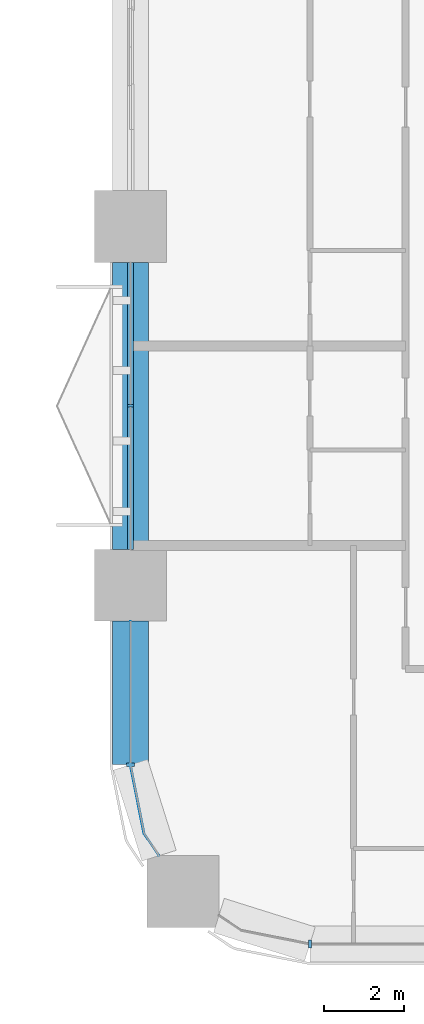
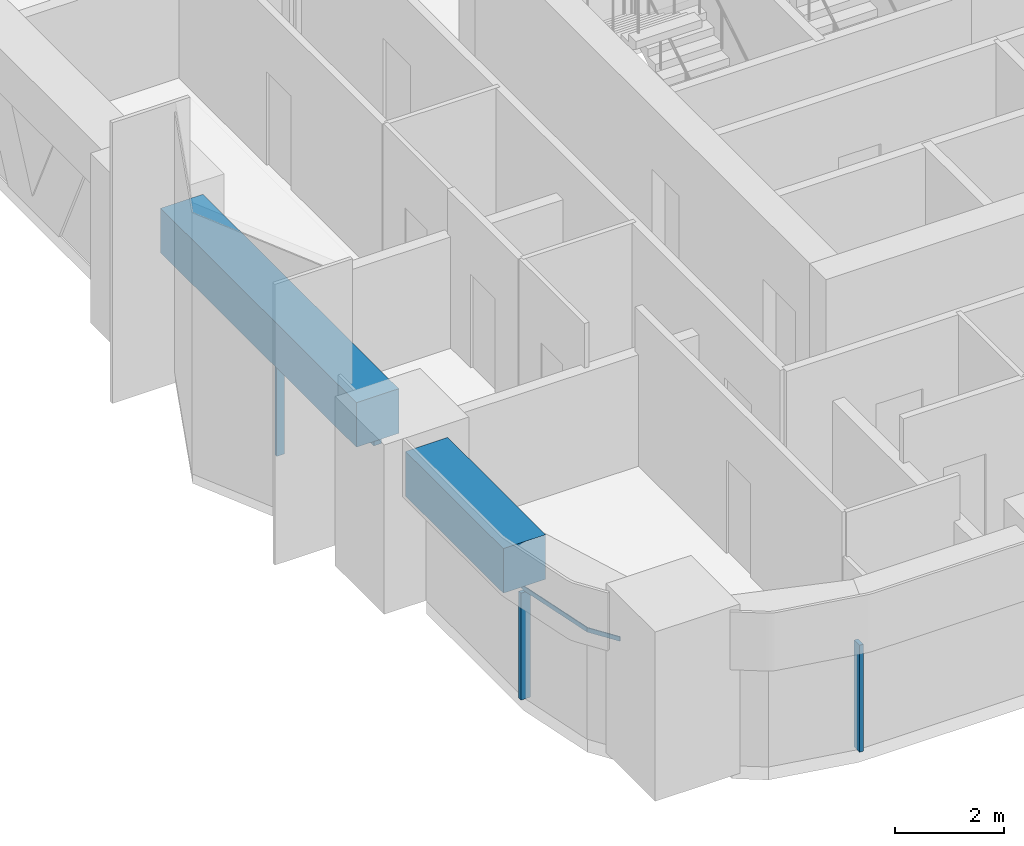
# One storey, part 2 of 19: 5 members, 2 beams, 3 elements without a shape of their own.
"""IFC4 building model written with IfcOpenShell, lengths in metres."""

import ifcopenshell
import ifcopenshell.guid

model = None  # the IFC model being written
_history = None  # IfcOwnerHistory: only IFC2X3 demands one
_inside = {}  # id of a spatial element -> (the spatial element, [elements in it])
_under = {}  # id of a project, library or spatial element -> (it, [spatial elements below it])
_declared = {}  # id of a project -> (the project, [libraries it declares])
_typed = {}  # id of a type object -> (the type object, [elements of that type])
_made_of = {}  # id of a material, layer set ... -> (it, [elements and type objects made of it])


def new_model(schema):
    """Start an empty IFC model of exactly this schema.

    Asked for "IFC4X3", IfcOpenShell would pick the latest addendum, in which some entities
    have other attributes; the version numbers below select the first issue.
    IFC2X3 requires an IfcOwnerHistory on every rooted entity: one is made here for all.
    """
    global model, _history
    if schema == "IFC4X3":
        model = ifcopenshell.file(schema_version=(4, 3, 0, 0))
    else:
        model = ifcopenshell.file(schema=schema)
    _inside.clear()
    _under.clear()
    _declared.clear()
    _typed.clear()
    _made_of.clear()
    _history = None
    if model.schema == "IFC2X3":
        org = make("IfcOrganization", Name="unknown")
        user = make(
            "IfcPersonAndOrganization",
            ThePerson=make("IfcPerson", FamilyName="unknown"),
            TheOrganization=org,
        )
        app = make(
            "IfcApplication",
            ApplicationDeveloper=org,
            Version="unknown",
            ApplicationFullName="unknown",
            ApplicationIdentifier="unknown",
        )
        _history = make(
            "IfcOwnerHistory",
            OwningUser=user,
            OwningApplication=app,
            ChangeAction="ADDED",
            CreationDate=0,
        )
    return model


def make(cls, **values):
    """One entity of the class cls with the attributes given. An attribute that is None is left unset."""
    return model.create_entity(
        cls, **{name: value for name, value in values.items() if value is not None}
    )


def rooted(cls, **values):
    """An entity with a GlobalId (a new one), such as an element, a storey or a relation."""
    return make(cls, GlobalId=ifcopenshell.guid.new(), OwnerHistory=_history, **values)


def si_unit(unit_type, name, prefix=None):
    """IfcSIUnit, for example si_unit("LENGTHUNIT", "METRE", prefix="MILLI")."""
    return make("IfcSIUnit", UnitType=unit_type, Prefix=prefix, Name=name)


def assignment(units):
    """IfcUnitAssignment: the units of a project."""
    return None if units is None else make("IfcUnitAssignment", Units=units)


def point(xyz):
    """IfcCartesianPoint."""
    return None if xyz is None else make("IfcCartesianPoint", Coordinates=xyz)


def direction(xyz):
    """IfcDirection."""
    return None if xyz is None else make("IfcDirection", DirectionRatios=xyz)


def frame(location, z_axis=None, x_axis=None):
    """IfcAxis2Placement3D, a coordinate frame: its origin and axes. An axis left out is left unset."""
    return make(
        "IfcAxis2Placement3D",
        Location=point(location),
        Axis=direction(z_axis),
        RefDirection=direction(x_axis),
    )


def frame_2d(location, x_axis=None):
    """IfcAxis2Placement2D, a coordinate frame in the plane: its origin and x axis."""
    return make(
        "IfcAxis2Placement2D", Location=point(location), RefDirection=direction(x_axis)
    )


def origin():
    """The frame at (0, 0, 0) with its axes left unset."""
    return frame((0.0, 0.0, 0.0))


def origin_2d():
    """The frame at (0, 0) in the plane with its x axis left unset."""
    return frame_2d((0.0, 0.0))


def place(relative_to, where):
    """IfcLocalPlacement: puts the frame where relative to a parent placement (None: the world)."""
    return make(
        "IfcLocalPlacement", PlacementRelTo=relative_to, RelativePlacement=where
    )


def context(
    kind, dimensions, precision=None, world=None, true_north=None, identifier=None
):
    """IfcGeometricRepresentationContext, for example the 3D "Model" context."""
    return make(
        "IfcGeometricRepresentationContext",
        ContextIdentifier=identifier,
        ContextType=kind,
        CoordinateSpaceDimension=dimensions,
        Precision=precision,
        WorldCoordinateSystem=world,
        TrueNorth=true_north,
    )


def subcontext(parent, identifier, kind, view, scale=None):
    """IfcGeometricRepresentationSubContext, for example "Body" below "Model"."""
    return make(
        "IfcGeometricRepresentationSubContext",
        ContextIdentifier=identifier,
        ContextType=kind,
        ParentContext=parent,
        TargetScale=scale,
        TargetView=view,
    )


def project(units=None, contexts=None):
    """IfcProject with its units and contexts."""
    return rooted(
        "IfcProject",
        Name="project",
        RepresentationContexts=contexts,
        UnitsInContext=assignment(units),
    )


def spatial(cls, under=None, at=None, **own):
    """A site, building, storey or space (cls), placed at a placement, below another one or the project."""
    s = rooted(cls, ObjectPlacement=at, **own)
    if under is not None:
        _under.setdefault(under.id(), (under, []))[1].append(s)
    return s


def polyline(points):
    """IfcPolyline through the points."""
    return make("IfcPolyline", Points=[point(p) for p in points])


def profile(cls, at=None, kind="AREA", **sizes):
    """A parametric profile (cls). Its sizes go by their IFC names, for example OverallWidth=200.0."""
    return make(cls, ProfileType=kind, Position=at, **sizes)


def rectangle(**sizes):
    """IfcRectangleProfileDef."""
    return profile("IfcRectangleProfileDef", **sizes)


def outline(outer, holes=None, kind="AREA"):
    """IfcArbitraryClosedProfileDef: a profile drawn as a closed curve; with holes, ...WithVoids."""
    if holes is None:
        return make("IfcArbitraryClosedProfileDef", ProfileType=kind, OuterCurve=outer)
    return make(
        "IfcArbitraryProfileDefWithVoids",
        ProfileType=kind,
        OuterCurve=outer,
        InnerCurves=holes,
    )


def extrude(swept, where, along, depth):
    """IfcExtrudedAreaSolid: the profile swept, set in the frame where, extruded along a direction by depth."""
    return make(
        "IfcExtrudedAreaSolid",
        SweptArea=swept,
        Position=where,
        ExtrudedDirection=direction(along),
        Depth=depth,
    )


def shape(context_of_items, identifier, shape_type, items):
    """IfcShapeRepresentation: the items that make up one representation, for example the "Body"."""
    return make(
        "IfcShapeRepresentation",
        ContextOfItems=context_of_items,
        RepresentationIdentifier=identifier,
        RepresentationType=shape_type,
        Items=items,
    )


def material(Name=None, Category=None):
    """IfcMaterial."""
    return make("IfcMaterial", Name=Name, Category=Category)


def material_profile(
    of_material, cross_section, Name=None, Category=None, Priority=None
):
    """IfcMaterialProfile: a cross section and its material."""
    return make(
        "IfcMaterialProfile",
        Name=Name,
        Material=of_material,
        Profile=cross_section,
        Priority=Priority,
        Category=Category,
    )


def profile_set(profiles, Name=None, composite=None):
    """IfcMaterialProfileSet."""
    return make(
        "IfcMaterialProfileSet",
        Name=Name,
        MaterialProfiles=profiles,
        CompositeProfile=composite,
    )


def made_of(thing, what):
    """Note that an element or type object is made of a material, layer set ...; save() writes the relation."""
    if what is not None:
        _made_of.setdefault(what.id(), (what, []))[1].append(thing)
    return thing


def type_object(cls, material=None, **own):
    """A type object (cls), such as IfcWallType, which elements share."""
    return made_of(rooted(cls, **own), material)


def element(
    cls,
    number,
    at=None,
    inside=None,
    cuts=None,
    type_object=None,
    material=None,
    context=None,
    identifier="Body",
    shape_type=None,
    held_by="IfcProductDefinitionShape",
    body=None,
    shapes=None,
    **own,
):
    """One element of the class cls, such as IfcWall. Its Tag is "e" and its number.

    at: its placement. inside: the storey or other place that contains it. cuts: it is an
    opening in that element (IfcRelVoidsElement). A single representation is given by context,
    identifier, shape_type and body (its items); several are given by shapes. held_by: the class
    of the entity that holds the representations. save() writes the other relations.
    """
    e = rooted(cls, Tag="e%d" % number, ObjectPlacement=at, **own)
    if body is not None:
        shapes = [shape(context, identifier, shape_type, body)]
    if shapes is not None:
        e.Representation = make(held_by, Representations=shapes)
    if inside is not None:
        _inside.setdefault(inside.id(), (inside, []))[1].append(e)
    if cuts is not None:
        rooted(
            "IfcRelVoidsElement", RelatingBuildingElement=cuts, RelatedOpeningElement=e
        )
    if type_object is not None:
        _typed.setdefault(type_object.id(), (type_object, []))[1].append(e)
    return made_of(e, material)


def aggregate(whole, parts):
    """IfcRelAggregates: a whole, such as a stair, and the parts it consists of."""
    return rooted("IfcRelAggregates", RelatingObject=whole, RelatedObjects=parts)


def save(model, path):
    """Write the relations noted so far, then the file.

    IfcRelAggregates (storeys below a building ...), IfcRelContainedInSpatialStructure (elements
    in a storey), IfcRelDefinesByType, IfcRelAssociatesMaterial and IfcRelDeclares: one each for
    every whole, place, type object, material and project.
    """
    for whole, parts in _under.values():
        aggregate(whole, parts)
    for where, things in _inside.values():
        rooted(
            "IfcRelContainedInSpatialStructure",
            RelatedElements=things,
            RelatingStructure=where,
        )
    for kind, things in _typed.values():
        rooted("IfcRelDefinesByType", RelatedObjects=things, RelatingType=kind)
    for what, things in _made_of.values():
        rooted("IfcRelAssociatesMaterial", RelatedObjects=things, RelatingMaterial=what)
    for by, libraries in _declared.values():
        rooted("IfcRelDeclares", RelatingContext=by, RelatedDefinitions=libraries)
    model.write(path)


model = new_model("IFC4")

# Units and contexts
model_context = context("Model", 3, precision=1e-05, world=origin(), true_north=direction((0.0, 1.0)))
body_context = subcontext(model_context, "Body", "Model", "MODEL_VIEW")
ifc_project = project(units=[si_unit("LENGTHUNIT", "METRE"), si_unit("AREAUNIT", "SQUARE_METRE"), si_unit("VOLUMEUNIT", "CUBIC_METRE"), si_unit("PLANEANGLEUNIT", "RADIAN"), si_unit("MASSUNIT", "GRAM", prefix="KILO")], contexts=[model_context])

# Site, building, storey
site_placement = place(None, origin())
site = spatial("IfcSite", under=ifc_project, at=site_placement, CompositionType="ELEMENT")
building_placement = place(site_placement, origin())
building = spatial("IfcBuilding", under=site, at=building_placement, Name="Tessera Arch", CompositionType="ELEMENT")
storey_placement = place(building_placement, frame((0.0, 0.0, 85.39990234375)))
storey = spatial("IfcBuildingStorey", under=building, at=storey_placement, Name="L19", CompositionType="ELEMENT", Elevation=85.39990234375)

# Curtain wall, members
ifc_material_1 = material(Name="CW1 curtain wall")
curtain_wall_type_1 = type_object("IfcCurtainWallType", Name="CW1 curtain wall", PredefinedType="NOTDEFINED", material=ifc_material_1)
curtain_wall_1_placement = place(storey_placement, origin())
curtain_wall_1 = element("IfcCurtainWall", 1, at=curtain_wall_1_placement, inside=storey, type_object=curtain_wall_type_1, Name="CW1 curtain wall W27.0/1 L19", PredefinedType="NOTDEFINED")
ifc_material_2 = material(Name="Anodised aluminium pale metal", Category="aluminium")
ifc_material_profile_1 = material_profile(ifc_material_2, rectangle(XDim=0.159912109375, YDim=0.06005859375, at=origin_2d()), Name="AL 60x160")
ifc_profile_set_1 = profile_set([ifc_material_profile_1], Name="Anodised aluminium pale metal")
member_type_1 = type_object("IfcMemberType", Name="CW1 mullion", PredefinedType="MULLION", material=ifc_profile_set_1)
member_1_placement = place(storey_placement, frame((27.0, 13.5, 0.0), z_axis=(0.0, 0.0, 1.0), x_axis=(1.0, 0.0, 0.0)))
member_1 = element("IfcMember", 2, at=member_1_placement, type_object=member_type_1, Name="CW1 mullion W27.0/1 1", PredefinedType="MULLION", context=body_context, shape_type="SweptSolid", body=[
    extrude(rectangle(XDim=0.159912109375, YDim=0.06005859375, at=origin_2d()), origin(), (0.0, 0.0, 1.0), 2.400146484375),
])
ifc_material_3 = material(Name="Anodised aluminium pale metal", Category="aluminium")
ifc_material_profile_2 = material_profile(ifc_material_3, rectangle(XDim=0.159912109375, YDim=0.10009765625, at=origin_2d()), Name="AL 160x100")
ifc_profile_set_2 = profile_set([ifc_material_profile_2], Name="Anodised aluminium pale metal")
member_type_2 = type_object("IfcMemberType", Name="CW1 transom", PredefinedType="USERDEFINED", material=ifc_profile_set_2)
member_2_placement = place(storey_placement, frame((27.0, 17.10009765625, 2.4501953125), z_axis=(0.0, -1.0, 0.0), x_axis=(1.0, 0.0, 0.0)))
member_2 = element("IfcMember", 3, at=member_2_placement, type_object=member_type_2, Name="CW1 transom W27.0/1 1.1", ObjectType="TRANSOM", PredefinedType="USERDEFINED", context=body_context, shape_type="SweptSolid", body=[
    extrude(rectangle(XDim=0.159912109375, YDim=0.10009765625, at=origin_2d()), origin(), (0.0, 0.0, 1.0), 7.2001953125),
])
aggregate(curtain_wall_1, [member_1, member_2])

# Curtain wall, member
ifc_material_4 = material(Name="CW2 curtain wall")
curtain_wall_type_2 = type_object("IfcCurtainWallType", Name="CW2 curtain wall", PredefinedType="NOTDEFINED", material=ifc_material_4)
curtain_wall_2_placement = place(storey_placement, origin())
curtain_wall_2 = element("IfcCurtainWall", 4, at=curtain_wall_2_placement, inside=storey, type_object=curtain_wall_type_2, Name="CW2 curtain wall W27.0/2 L19", PredefinedType="NOTDEFINED")
ifc_material_5 = material(Name="Anodised aluminium pale metal", Category="aluminium")
ifc_material_profile_3 = material_profile(ifc_material_5, rectangle(XDim=0.199951171875, YDim=0.080078125, at=origin_2d()), Name="AL 80x200")
ifc_profile_set_3 = profile_set([ifc_material_profile_3], Name="Anodised aluminium pale metal")
member_type_3 = type_object("IfcMemberType", Name="CW2 mullion", PredefinedType="MULLION", material=ifc_profile_set_3)
member_3_placement = place(storey_placement, frame((27.0, 4.5, 0.0), z_axis=(0.0, 0.0, 1.0), x_axis=(1.0, 0.0, 0.0)))
member_3 = element("IfcMember", 5, at=member_3_placement, type_object=member_type_3, Name="CW2 mullion W27.0/2 1", PredefinedType="MULLION", context=body_context, shape_type="SweptSolid", body=[
    extrude(rectangle(XDim=0.199951171875, YDim=0.080078125, at=origin_2d()), origin(), (0.0, 0.0, 1.0), 2.400146484375),
])

curtain_wall_3_placement = place(storey_placement, origin())
curtain_wall_3 = element("IfcCurtainWall", 6, at=curtain_wall_3_placement, inside=storey, type_object=curtain_wall_type_2, Name="CW2 curtain wall S0.27/0 L19", PredefinedType="NOTDEFINED")
member_4_placement = place(storey_placement, frame((31.5, 0.0, 0.0), z_axis=(0.0, 0.0, 1.0), x_axis=(0.0, 1.0, 0.0)))
member_4 = element("IfcMember", 7, at=member_4_placement, type_object=member_type_3, Name="CW2 mullion S0.27/0 1", PredefinedType="MULLION", context=body_context, shape_type="SweptSolid", body=[
    extrude(rectangle(XDim=0.199951171875, YDim=0.080078125, at=origin_2d()), origin(), (0.0, 0.0, 1.0), 2.400146484375),
])
aggregate(curtain_wall_3, [member_4])

# Member
ifc_material_6 = material(Name="Anodised aluminium pale metal", Category="aluminium")
ifc_material_profile_4 = material_profile(ifc_material_6, rectangle(XDim=0.199951171875, YDim=0.10009765625, at=origin_2d()), Name="AL 200x100")
ifc_profile_set_4 = profile_set([ifc_material_profile_4], Name="Anodised aluminium pale metal")
member_type_4 = type_object("IfcMemberType", Name="CW2 transom", PredefinedType="USERDEFINED", material=ifc_profile_set_4)
member_5_placement = place(storey_placement, frame((0.0, 0.0, 2.400146484375)))
member_5 = element("IfcMember", 8, at=member_5_placement, type_object=member_type_4, Name="CW2 transom W27.0/2 1", ObjectType="TRANSOM", PredefinedType="USERDEFINED", context=body_context, shape_type="SweptSolid", body=[
    extrude(outline(polyline([(27.010009765625, 4.5009765625), (27.010009765625, 8.10009765625), (26.989990234375, 8.10009765625), (26.989990234375, 4.4990234375), (27.3330078125, 2.77392578125), (27.70849609375, 2.21240234375), (27.72509765625, 2.2236328125), (27.351806640625, 2.78173828125), (27.010009765625, 4.5009765625)])), origin(), (0.0, 0.0, 1.0), 0.099853515625),
])

aggregate(curtain_wall_2, [member_3, member_5])

# Beams
ifc_material_7 = material(Name="Concrete C80/95", Category="concrete")
ifc_material_profile_5 = material_profile(ifc_material_7, rectangle(XDim=0.89990234375, YDim=1.0, at=origin_2d()), Name="RC spandrel beam 900 x 1000 Concrete C80/95")
ifc_profile_set_5 = profile_set([ifc_material_profile_5], Name="Concrete C80/95")
beam_type = type_object("IfcBeamType", Name="RC spandrel beam 900 x 1000 Concrete C80/95", PredefinedType="BEAM", material=ifc_profile_set_5)
beam_1_placement = place(storey_placement, frame((27.0, 17.10009765625, 3.0), z_axis=(0.0, -1.0, 0.0), x_axis=(1.0, 0.0, 0.0)))
element("IfcBeam", 9, at=beam_1_placement, inside=storey, type_object=beam_type, Name="Spandrel beam L19 W27.0/1", PredefinedType="BEAM", context=body_context, shape_type="SweptSolid", body=[
    extrude(rectangle(XDim=0.89990234375, YDim=1.0, at=origin_2d()), origin(), (0.0, 0.0, 1.0), 7.2001953125),
])
beam_2_placement = place(storey_placement, frame((27.0, 8.10009765625, 3.0), z_axis=(0.0, -1.0, 0.0), x_axis=(1.0, 0.0, 0.0)))
element("IfcBeam", 10, at=beam_2_placement, inside=storey, type_object=beam_type, Name="Spandrel beam L19 W27.0/2.1", PredefinedType="BEAM", context=body_context, shape_type="SweptSolid", body=[
    extrude(rectangle(XDim=0.89990234375, YDim=1.0, at=origin_2d()), origin(), (0.0, 0.0, 1.0), 3.60009765625),
])

save(model, "model.ifc")
